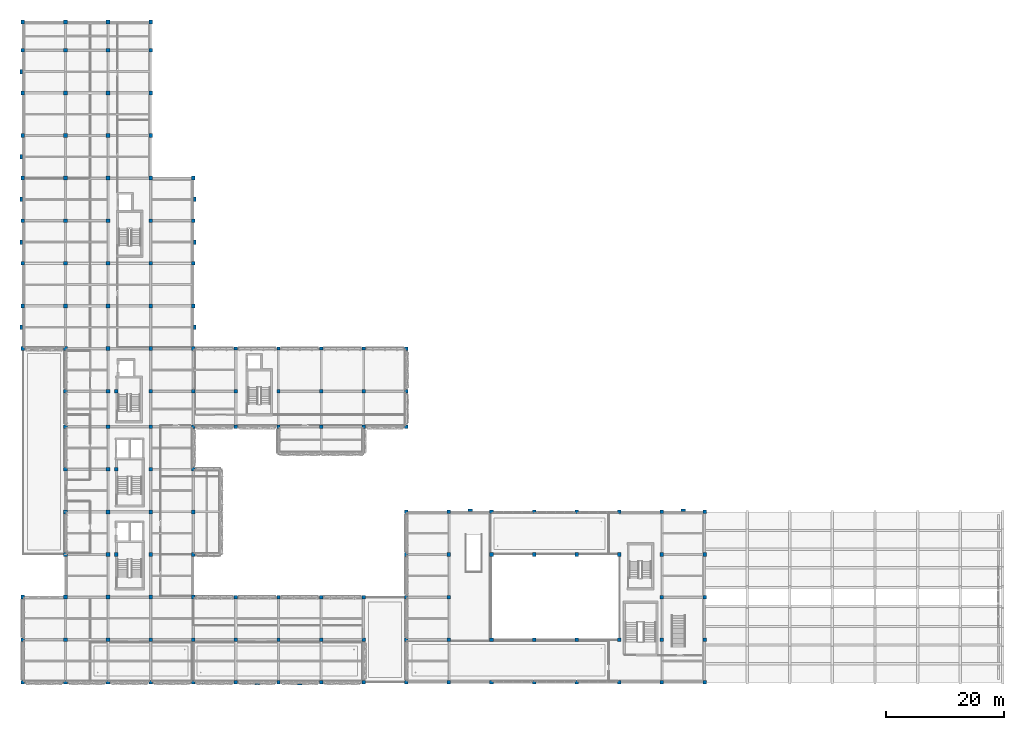
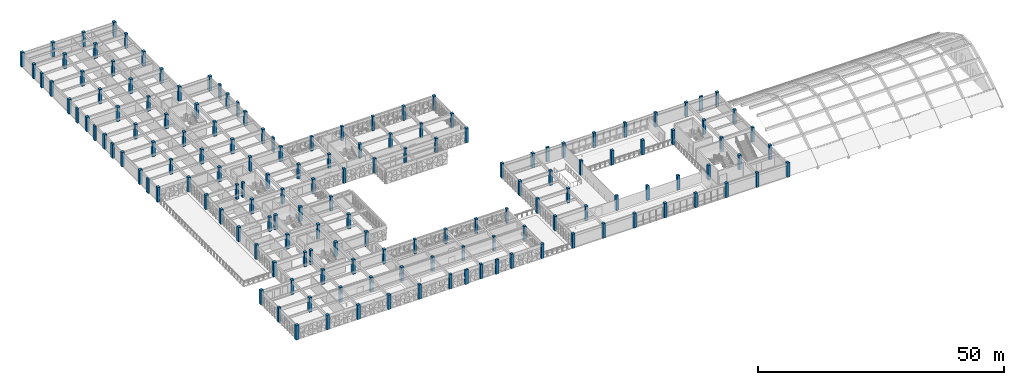
# One storey, part 1 of 85: 154 columns.
"""IFC4 building model written with IfcOpenShell, lengths in metres."""

from ifc_helpers import new_model, si_unit, direction, frame, origin, origin_2d, place, context, subcontext, project, spatial, rectangle, extrude, material, material_profile, profile_set, type_object, element, save


model = new_model("IFC4")

# Units and contexts
model_context = context("Model", 3, precision=1e-05, world=origin(), true_north=direction((0.0, 1.0)))
body_context = subcontext(model_context, "Body", "Model", "MODEL_VIEW")
ifc_project = project(units=[si_unit("LENGTHUNIT", "METRE"), si_unit("AREAUNIT", "SQUARE_METRE"), si_unit("VOLUMEUNIT", "CUBIC_METRE"), si_unit("PLANEANGLEUNIT", "RADIAN"), si_unit("MASSUNIT", "GRAM", prefix="KILO")], contexts=[model_context])

# Site, building, storey
site_placement = place(None, origin())
site = spatial("IfcSite", under=ifc_project, at=site_placement, CompositionType="ELEMENT")
building_placement = place(site_placement, origin())
building = spatial("IfcBuilding", under=site, at=building_placement, Name="Alvorim Cloister Faculty of Sciences", CompositionType="ELEMENT")
storey_placement = place(building_placement, frame((0.0, 0.0, 8.550048828125)))
storey = spatial("IfcBuildingStorey", under=building, at=storey_placement, Name="L02", CompositionType="ELEMENT", Elevation=8.550048828125)

# Columns
ifc_material_1 = material(Name="Glulam GL32h", Category="wood")
ifc_material_profile_1 = material_profile(ifc_material_1, rectangle(XDim=0.56005859375, YDim=0.56005859375, at=origin_2d()), Name="GL32-COL-560x560")
ifc_profile_set_1 = profile_set([ifc_material_profile_1], Name="Glulam GL32h")
column_type_1 = type_object("IfcColumnType", Name="COL-GL-560", PredefinedType="COLUMN", material=ifc_profile_set_1)
for number, where, z_axis, x_axis, name in (
    (1, (36.0, 0.0, 0.0), (0.0, 0.0, 1.0), (1.0, 0.0, 0.0), "L02 Column COL-0635"),
    (2, (36.0, 7.199951171875, 0.0), (0.0, 0.0, 1.0), (1.0, 0.0, 0.0), "L02 Column COL-0636"),
    (3, (36.0, 14.39990234375, 0.0), (0.0, 0.0, 1.0), (1.0, 0.0, 0.0), "L02 Column COL-0637"),
    (4, (36.0, 43.199951171875, 0.0), (0.0, 0.0, 1.0), (1.0, 0.0, 0.0), "L02 Column COL-0638"),
    (5, (36.0, 49.199951171875, 0.0), (0.0, 0.0, 1.0), (1.0, 0.0, 0.0), "L02 Column COL-0639"),
    (6, (36.0, 56.39990234375, 0.0), (0.0, 0.0, 1.0), (1.0, 0.0, 0.0), "L02 Column COL-0640"),
    (7, (43.199951171875, 0.0, 0.0), (0.0, 0.0, 1.0), (1.0, 0.0, 0.0), "L02 Column COL-0641"),
    (8, (43.199951171875, 7.199951171875, 0.0), (0.0, 0.0, 1.0), (1.0, 0.0, 0.0), "L02 Column COL-0642"),
    (9, (43.199951171875, 14.39990234375, 0.0), (0.0, 0.0, 1.0), (1.0, 0.0, 0.0), "L02 Column COL-0643"),
    (10, (43.199951171875, 43.199951171875, 0.0), (0.0, 0.0, 1.0), (1.0, 0.0, 0.0), "L02 Column COL-0644"),
    (11, (43.199951171875, 49.199951171875, 0.0), (0.0, 0.0, 1.0), (1.0, 0.0, 0.0), "L02 Column COL-0645"),
    (12, (43.199951171875, 56.39990234375, 0.0), (0.0, 0.0, 1.0), (1.0, 0.0, 0.0), "L02 Column COL-0646"),
    (13, (50.39990234375, 0.0, 0.0), (0.0, 0.0, 1.0), (1.0, 0.0, 0.0), "L02 Column COL-0647"),
    (14, (50.39990234375, 7.199951171875, 0.0), (0.0, 0.0, 1.0), (1.0, 0.0, 0.0), "L02 Column COL-0648"),
    (15, (50.39990234375, 14.39990234375, 0.0), (0.0, 0.0, 1.0), (1.0, 0.0, 0.0), "L02 Column COL-0649"),
    (16, (50.39990234375, 43.199951171875, 0.0), (0.0, 0.0, 1.0), (1.0, 0.0, 0.0), "L02 Column COL-0650"),
    (17, (50.39990234375, 49.199951171875, 0.0), (0.0, 0.0, 1.0), (1.0, 0.0, 0.0), "L02 Column COL-0651"),
    (18, (50.39990234375, 56.39990234375, 0.0), (0.0, 0.0, 1.0), (1.0, 0.0, 0.0), "L02 Column COL-0652"),
    (19, (57.60009765625, 0.0, 0.0), (0.0, 0.0, 1.0), (1.0, 0.0, 0.0), "L02 Column COL-0653"),
    (20, (57.60009765625, 7.199951171875, 0.0), (0.0, 0.0, 1.0), (1.0, 0.0, 0.0), "L02 Column COL-0654"),
    (21, (57.60009765625, 14.39990234375, 0.0), (0.0, 0.0, 1.0), (1.0, 0.0, 0.0), "L02 Column COL-0655"),
    (22, (57.60009765625, 43.199951171875, 0.0), (0.0, 0.0, 1.0), (1.0, 0.0, 0.0), "L02 Column COL-0656"),
    (23, (57.60009765625, 49.199951171875, 0.0), (0.0, 0.0, 1.0), (1.0, 0.0, 0.0), "L02 Column COL-0657"),
    (24, (57.60009765625, 56.39990234375, 0.0), (0.0, 0.0, 1.0), (1.0, 0.0, 0.0), "L02 Column COL-0658"),
):
    element("IfcColumn", number, at=place(storey_placement, frame(where, z_axis=z_axis, x_axis=x_axis)), inside=storey, type_object=column_type_1, Name=name, PredefinedType="COLUMN", context=body_context, shape_type="SweptSolid", body=[
        extrude(rectangle(XDim=0.56005859375, YDim=0.56005859375, at=origin_2d()), origin(), (0.0, 0.0, 1.0), 3.599853515625),
    ])
ifc_material_profile_2 = material_profile(ifc_material_1, rectangle(XDim=0.60009765625, YDim=0.60009765625, at=origin_2d()), Name="GL32-COL-600x600")
ifc_profile_set_2 = profile_set([ifc_material_profile_2], Name="Glulam GL32h")
column_type_2 = type_object("IfcColumnType", Name="COL-GL-600", PredefinedType="COLUMN", material=ifc_profile_set_2)
for number, where, z_axis, x_axis, name in (
    (25, (64.800048828125, 0.0, 0.0), (0.0, 0.0, 1.0), (1.0, 0.0, 0.0), "L02 Column COL-0659"),
    (26, (64.800048828125, 7.199951171875, 0.0), (0.0, 0.0, 1.0), (1.0, 0.0, 0.0), "L02 Column COL-0660"),
    (27, (64.800048828125, 14.39990234375, 0.0), (0.0, 0.0, 1.0), (1.0, 0.0, 0.0), "L02 Column COL-0661"),
    (28, (64.800048828125, 21.60009765625, 0.0), (0.0, 0.0, 1.0), (1.0, 0.0, 0.0), "L02 Column COL-0662"),
    (29, (64.800048828125, 28.800048828125, 0.0), (0.0, 0.0, 1.0), (1.0, 0.0, 0.0), "L02 Column COL-0663"),
    (30, (64.800048828125, 43.199951171875, 0.0), (0.0, 0.0, 1.0), (1.0, 0.0, 0.0), "L02 Column COL-0664"),
    (31, (64.800048828125, 49.199951171875, 0.0), (0.0, 0.0, 1.0), (1.0, 0.0, 0.0), "L02 Column COL-0665"),
    (32, (64.800048828125, 56.39990234375, 0.0), (0.0, 0.0, 1.0), (1.0, 0.0, 0.0), "L02 Column COL-0666"),
    (33, (72.0, 0.0, 0.0), (0.0, 0.0, 1.0), (1.0, 0.0, 0.0), "L02 Column COL-0667"),
    (34, (72.0, 7.199951171875, 0.0), (0.0, 0.0, 1.0), (1.0, 0.0, 0.0), "L02 Column COL-0668"),
    (35, (72.0, 14.39990234375, 0.0), (0.0, 0.0, 1.0), (1.0, 0.0, 0.0), "L02 Column COL-0669"),
    (36, (72.0, 21.60009765625, 0.0), (0.0, 0.0, 1.0), (1.0, 0.0, 0.0), "L02 Column COL-0670"),
    (37, (72.0, 28.800048828125, 0.0), (0.0, 0.0, 1.0), (1.0, 0.0, 0.0), "L02 Column COL-0671"),
    (38, (79.199951171875, 0.0, 0.0), (0.0, 0.0, 1.0), (1.0, 0.0, 0.0), "L02 Column COL-0672"),
    (39, (79.199951171875, 7.199951171875, 0.0), (0.0, 0.0, 1.0), (1.0, 0.0, 0.0), "L02 Column COL-0673"),
    (40, (79.199951171875, 21.60009765625, 0.0), (0.0, 0.0, 1.0), (1.0, 0.0, 0.0), "L02 Column COL-0674"),
    (41, (79.199951171875, 28.800048828125, 0.0), (0.0, 0.0, 1.0), (1.0, 0.0, 0.0), "L02 Column COL-0675"),
    (42, (86.39990234375, 0.0, 0.0), (0.0, 0.0, 1.0), (1.0, 0.0, 0.0), "L02 Column COL-0676"),
    (43, (86.39990234375, 7.199951171875, 0.0), (0.0, 0.0, 1.0), (1.0, 0.0, 0.0), "L02 Column COL-0677"),
    (44, (86.39990234375, 21.60009765625, 0.0), (0.0, 0.0, 1.0), (1.0, 0.0, 0.0), "L02 Column COL-0678"),
    (45, (86.39990234375, 28.800048828125, 0.0), (0.0, 0.0, 1.0), (1.0, 0.0, 0.0), "L02 Column COL-0679"),
    (46, (93.60009765625, 0.0, 0.0), (0.0, 0.0, 1.0), (1.0, 0.0, 0.0), "L02 Column COL-0680"),
    (47, (93.60009765625, 7.199951171875, 0.0), (0.0, 0.0, 1.0), (1.0, 0.0, 0.0), "L02 Column COL-0681"),
    (48, (93.60009765625, 21.60009765625, 0.0), (0.0, 0.0, 1.0), (1.0, 0.0, 0.0), "L02 Column COL-0682"),
    (49, (93.60009765625, 28.800048828125, 0.0), (0.0, 0.0, 1.0), (1.0, 0.0, 0.0), "L02 Column COL-0683"),
    (50, (100.800048828125, 0.0, 0.0), (0.0, 0.0, 1.0), (1.0, 0.0, 0.0), "L02 Column COL-0684"),
    (51, (100.800048828125, 7.199951171875, 0.0), (0.0, 0.0, 1.0), (1.0, 0.0, 0.0), "L02 Column COL-0685"),
    (52, (100.800048828125, 21.60009765625, 0.0), (0.0, 0.0, 1.0), (1.0, 0.0, 0.0), "L02 Column COL-0686"),
    (53, (100.800048828125, 28.800048828125, 0.0), (0.0, 0.0, 1.0), (1.0, 0.0, 0.0), "L02 Column COL-0687"),
    (54, (108.0, 0.0, 0.0), (0.0, 0.0, 1.0), (1.0, 0.0, 0.0), "L02 Column COL-0688"),
    (55, (108.0, 7.199951171875, 0.0), (0.0, 0.0, 1.0), (1.0, 0.0, 0.0), "L02 Column COL-0689"),
    (56, (108.0, 14.39990234375, 0.0), (0.0, 0.0, 1.0), (1.0, 0.0, 0.0), "L02 Column COL-0690"),
    (57, (108.0, 21.60009765625, 0.0), (0.0, 0.0, 1.0), (1.0, 0.0, 0.0), "L02 Column COL-0691"),
    (58, (108.0, 28.800048828125, 0.0), (0.0, 0.0, 1.0), (1.0, 0.0, 0.0), "L02 Column COL-0692"),
    (59, (115.199951171875, 0.0, 0.0), (0.0, 0.0, 1.0), (1.0, 0.0, 0.0), "L02 Column COL-0693"),
    (60, (115.199951171875, 7.199951171875, 0.0), (0.0, 0.0, 1.0), (1.0, 0.0, 0.0), "L02 Column COL-0694"),
    (61, (115.199951171875, 14.39990234375, 0.0), (0.0, 0.0, 1.0), (1.0, 0.0, 0.0), "L02 Column COL-0695"),
    (62, (115.199951171875, 21.60009765625, 0.0), (0.0, 0.0, 1.0), (1.0, 0.0, 0.0), "L02 Column COL-0696"),
    (63, (115.199951171875, 28.800048828125, 0.0), (0.0, 0.0, 1.0), (1.0, 0.0, 0.0), "L02 Column COL-0697"),
):
    element("IfcColumn", number, at=place(storey_placement, frame(where, z_axis=z_axis, x_axis=x_axis)), inside=storey, type_object=column_type_2, Name=name, PredefinedType="COLUMN", context=body_context, shape_type="SweptSolid", body=[
        extrude(rectangle(XDim=0.60009765625, YDim=0.60009765625, at=origin_2d()), origin(), (0.0, 0.0, 1.0), 3.599853515625),
    ])
ifc_material_profile_3 = material_profile(ifc_material_1, rectangle(XDim=0.639892578125, YDim=0.639892578125, at=origin_2d()), Name="GL32-COL-640x640")
ifc_profile_set_3 = profile_set([ifc_material_profile_3], Name="Glulam GL32h")
column_type_3 = type_object("IfcColumnType", Name="COL-GL-640", PredefinedType="COLUMN", material=ifc_profile_set_3)
for number, where, z_axis, x_axis, name in (
    (64, (0.0, 0.0, 0.0), (0.0, 0.0, 1.0), (1.0, 0.0, 0.0), "L02 Column COL-0556"),
    (65, (0.0, 7.199951171875, 0.0), (0.0, 0.0, 1.0), (1.0, 0.0, 0.0), "L02 Column COL-0557"),
    (66, (0.0, 14.39990234375, 0.0), (0.0, 0.0, 1.0), (1.0, 0.0, 0.0), "L02 Column COL-0558"),
    (67, (0.0, 56.39990234375, 0.0), (0.0, 0.0, 1.0), (1.0, 0.0, 0.0), "L02 Column COL-0559"),
    (68, (0.0, 63.60009765625, 0.0), (0.0, 0.0, 1.0), (1.0, 0.0, 0.0), "L02 Column COL-0560"),
    (69, (0.0, 70.800048828125, 0.0), (0.0, 0.0, 1.0), (1.0, 0.0, 0.0), "L02 Column COL-0561"),
    (70, (0.0, 78.0, 0.0), (0.0, 0.0, 1.0), (1.0, 0.0, 0.0), "L02 Column COL-0562"),
    (71, (0.0, 85.199951171875, 0.0), (0.0, 0.0, 1.0), (1.0, 0.0, 0.0), "L02 Column COL-0563"),
    (72, (0.0, 92.39990234375, 0.0), (0.0, 0.0, 1.0), (1.0, 0.0, 0.0), "L02 Column COL-0564"),
    (73, (0.0, 99.60009765625, 0.0), (0.0, 0.0, 1.0), (1.0, 0.0, 0.0), "L02 Column COL-0565"),
    (74, (0.0, 106.800048828125, 0.0), (0.0, 0.0, 1.0), (1.0, 0.0, 0.0), "L02 Column COL-0566"),
    (75, (0.0, 111.60009765625, 0.0), (0.0, 0.0, 1.0), (1.0, 0.0, 0.0), "L02 Column COL-0567"),
    (76, (7.199951171875, 0.0, 0.0), (0.0, 0.0, 1.0), (1.0, 0.0, 0.0), "L02 Column COL-0568"),
    (77, (7.199951171875, 7.199951171875, 0.0), (0.0, 0.0, 1.0), (1.0, 0.0, 0.0), "L02 Column COL-0569"),
    (78, (7.199951171875, 14.39990234375, 0.0), (0.0, 0.0, 1.0), (1.0, 0.0, 0.0), "L02 Column COL-0570"),
    (79, (7.199951171875, 21.60009765625, 0.0), (0.0, 0.0, 1.0), (1.0, 0.0, 0.0), "L02 Column COL-0571"),
    (80, (7.199951171875, 28.800048828125, 0.0), (0.0, 0.0, 1.0), (1.0, 0.0, 0.0), "L02 Column COL-0572"),
    (81, (7.199951171875, 36.0, 0.0), (0.0, 0.0, 1.0), (1.0, 0.0, 0.0), "L02 Column COL-0573"),
    (82, (7.199951171875, 43.199951171875, 0.0), (0.0, 0.0, 1.0), (1.0, 0.0, 0.0), "L02 Column COL-0574"),
    (83, (7.199951171875, 49.199951171875, 0.0), (0.0, 0.0, 1.0), (1.0, 0.0, 0.0), "L02 Column COL-0575"),
    (84, (7.199951171875, 56.39990234375, 0.0), (0.0, 0.0, 1.0), (1.0, 0.0, 0.0), "L02 Column COL-0576"),
    (85, (7.199951171875, 63.60009765625, 0.0), (0.0, 0.0, 1.0), (1.0, 0.0, 0.0), "L02 Column COL-0577"),
    (86, (7.199951171875, 70.800048828125, 0.0), (0.0, 0.0, 1.0), (1.0, 0.0, 0.0), "L02 Column COL-0578"),
    (87, (7.199951171875, 78.0, 0.0), (0.0, 0.0, 1.0), (1.0, 0.0, 0.0), "L02 Column COL-0579"),
    (88, (7.199951171875, 85.199951171875, 0.0), (0.0, 0.0, 1.0), (1.0, 0.0, 0.0), "L02 Column COL-0580"),
    (89, (7.199951171875, 92.39990234375, 0.0), (0.0, 0.0, 1.0), (1.0, 0.0, 0.0), "L02 Column COL-0581"),
    (90, (7.199951171875, 99.60009765625, 0.0), (0.0, 0.0, 1.0), (1.0, 0.0, 0.0), "L02 Column COL-0582"),
    (91, (7.199951171875, 106.800048828125, 0.0), (0.0, 0.0, 1.0), (1.0, 0.0, 0.0), "L02 Column COL-0583"),
    (92, (7.199951171875, 111.60009765625, 0.0), (0.0, 0.0, 1.0), (1.0, 0.0, 0.0), "L02 Column COL-0584"),
    (93, (14.39990234375, 0.0, 0.0), (0.0, 0.0, 1.0), (1.0, 0.0, 0.0), "L02 Column COL-0585"),
    (94, (14.39990234375, 7.199951171875, 0.0), (0.0, 0.0, 1.0), (1.0, 0.0, 0.0), "L02 Column COL-0586"),
    (95, (14.39990234375, 14.39990234375, 0.0), (0.0, 0.0, 1.0), (1.0, 0.0, 0.0), "L02 Column COL-0587"),
    (96, (14.39990234375, 21.60009765625, 0.0), (0.0, 0.0, 1.0), (1.0, 0.0, 0.0), "L02 Column COL-0588"),
    (97, (14.39990234375, 28.800048828125, 0.0), (0.0, 0.0, 1.0), (1.0, 0.0, 0.0), "L02 Column COL-0589"),
    (98, (14.39990234375, 36.0, 0.0), (0.0, 0.0, 1.0), (1.0, 0.0, 0.0), "L02 Column COL-0590"),
    (99, (14.39990234375, 43.199951171875, 0.0), (0.0, 0.0, 1.0), (1.0, 0.0, 0.0), "L02 Column COL-0591"),
    (100, (14.39990234375, 49.199951171875, 0.0), (0.0, 0.0, 1.0), (1.0, 0.0, 0.0), "L02 Column COL-0592"),
    (101, (14.39990234375, 56.39990234375, 0.0), (0.0, 0.0, 1.0), (1.0, 0.0, 0.0), "L02 Column COL-0593"),
    (102, (14.39990234375, 63.60009765625, 0.0), (0.0, 0.0, 1.0), (1.0, 0.0, 0.0), "L02 Column COL-0594"),
    (103, (14.39990234375, 70.800048828125, 0.0), (0.0, 0.0, 1.0), (1.0, 0.0, 0.0), "L02 Column COL-0595"),
    (104, (14.39990234375, 78.0, 0.0), (0.0, 0.0, 1.0), (1.0, 0.0, 0.0), "L02 Column COL-0596"),
    (105, (14.39990234375, 85.199951171875, 0.0), (0.0, 0.0, 1.0), (1.0, 0.0, 0.0), "L02 Column COL-0597"),
    (106, (14.39990234375, 92.39990234375, 0.0), (0.0, 0.0, 1.0), (1.0, 0.0, 0.0), "L02 Column COL-0598"),
    (107, (14.39990234375, 99.60009765625, 0.0), (0.0, 0.0, 1.0), (1.0, 0.0, 0.0), "L02 Column COL-0599"),
    (108, (14.39990234375, 106.800048828125, 0.0), (0.0, 0.0, 1.0), (1.0, 0.0, 0.0), "L02 Column COL-0600"),
    (109, (14.39990234375, 111.60009765625, 0.0), (0.0, 0.0, 1.0), (1.0, 0.0, 0.0), "L02 Column COL-0601"),
    (110, (15.800048828125, 21.60009765625, 0.0), (0.0, 0.0, 1.0), (1.0, 0.0, 0.0), "L02 Column COL-0602"),
    (111, (15.800048828125, 36.0, 0.0), (0.0, 0.0, 1.0), (1.0, 0.0, 0.0), "L02 Column COL-0603"),
    (112, (15.800048828125, 49.199951171875, 0.0), (0.0, 0.0, 1.0), (1.0, 0.0, 0.0), "L02 Column COL-0604"),
    (113, (21.60009765625, 0.0, 0.0), (0.0, 0.0, 1.0), (1.0, 0.0, 0.0), "L02 Column COL-0605"),
    (114, (21.60009765625, 7.199951171875, 0.0), (0.0, 0.0, 1.0), (1.0, 0.0, 0.0), "L02 Column COL-0606"),
    (115, (21.60009765625, 14.39990234375, 0.0), (0.0, 0.0, 1.0), (1.0, 0.0, 0.0), "L02 Column COL-0607"),
    (116, (21.60009765625, 21.60009765625, 0.0), (0.0, 0.0, 1.0), (1.0, 0.0, 0.0), "L02 Column COL-0608"),
    (117, (21.60009765625, 28.800048828125, 0.0), (0.0, 0.0, 1.0), (1.0, 0.0, 0.0), "L02 Column COL-0609"),
    (118, (21.60009765625, 36.0, 0.0), (0.0, 0.0, 1.0), (1.0, 0.0, 0.0), "L02 Column COL-0610"),
    (119, (21.60009765625, 43.199951171875, 0.0), (0.0, 0.0, 1.0), (1.0, 0.0, 0.0), "L02 Column COL-0611"),
    (120, (21.60009765625, 49.199951171875, 0.0), (0.0, 0.0, 1.0), (1.0, 0.0, 0.0), "L02 Column COL-0612"),
    (121, (21.60009765625, 56.39990234375, 0.0), (0.0, 0.0, 1.0), (1.0, 0.0, 0.0), "L02 Column COL-0613"),
    (122, (21.60009765625, 63.60009765625, 0.0), (0.0, 0.0, 1.0), (1.0, 0.0, 0.0), "L02 Column COL-0614"),
    (123, (21.60009765625, 70.800048828125, 0.0), (0.0, 0.0, 1.0), (1.0, 0.0, 0.0), "L02 Column COL-0615"),
    (124, (21.60009765625, 78.0, 0.0), (0.0, 0.0, 1.0), (1.0, 0.0, 0.0), "L02 Column COL-0616"),
    (125, (21.60009765625, 85.199951171875, 0.0), (0.0, 0.0, 1.0), (1.0, 0.0, 0.0), "L02 Column COL-0617"),
    (126, (21.60009765625, 92.39990234375, 0.0), (0.0, 0.0, 1.0), (1.0, 0.0, 0.0), "L02 Column COL-0618"),
    (127, (21.60009765625, 99.60009765625, 0.0), (0.0, 0.0, 1.0), (1.0, 0.0, 0.0), "L02 Column COL-0619"),
    (128, (21.60009765625, 106.800048828125, 0.0), (0.0, 0.0, 1.0), (1.0, 0.0, 0.0), "L02 Column COL-0620"),
    (129, (21.60009765625, 111.60009765625, 0.0), (0.0, 0.0, 1.0), (1.0, 0.0, 0.0), "L02 Column COL-0621"),
    (130, (28.800048828125, 0.0, 0.0), (0.0, 0.0, 1.0), (1.0, 0.0, 0.0), "L02 Column COL-0622"),
    (131, (28.800048828125, 7.199951171875, 0.0), (0.0, 0.0, 1.0), (1.0, 0.0, 0.0), "L02 Column COL-0623"),
    (132, (28.800048828125, 14.39990234375, 0.0), (0.0, 0.0, 1.0), (1.0, 0.0, 0.0), "L02 Column COL-0624"),
    (133, (28.800048828125, 21.60009765625, 0.0), (0.0, 0.0, 1.0), (1.0, 0.0, 0.0), "L02 Column COL-0625"),
    (134, (28.800048828125, 28.800048828125, 0.0), (0.0, 0.0, 1.0), (1.0, 0.0, 0.0), "L02 Column COL-0626"),
    (135, (28.800048828125, 36.0, 0.0), (0.0, 0.0, 1.0), (1.0, 0.0, 0.0), "L02 Column COL-0627"),
    (136, (28.800048828125, 43.199951171875, 0.0), (0.0, 0.0, 1.0), (1.0, 0.0, 0.0), "L02 Column COL-0628"),
    (137, (28.800048828125, 49.199951171875, 0.0), (0.0, 0.0, 1.0), (1.0, 0.0, 0.0), "L02 Column COL-0629"),
    (138, (28.800048828125, 56.39990234375, 0.0), (0.0, 0.0, 1.0), (1.0, 0.0, 0.0), "L02 Column COL-0630"),
    (139, (28.800048828125, 63.60009765625, 0.0), (0.0, 0.0, 1.0), (1.0, 0.0, 0.0), "L02 Column COL-0631"),
    (140, (28.800048828125, 70.800048828125, 0.0), (0.0, 0.0, 1.0), (1.0, 0.0, 0.0), "L02 Column COL-0632"),
    (141, (28.800048828125, 78.0, 0.0), (0.0, 0.0, 1.0), (1.0, 0.0, 0.0), "L02 Column COL-0633"),
    (142, (28.800048828125, 85.199951171875, 0.0), (0.0, 0.0, 1.0), (1.0, 0.0, 0.0), "L02 Column COL-0634"),
):
    element("IfcColumn", number, at=place(storey_placement, frame(where, z_axis=z_axis, x_axis=x_axis)), inside=storey, type_object=column_type_3, Name=name, PredefinedType="COLUMN", context=body_context, shape_type="SweptSolid", body=[
        extrude(rectangle(XDim=0.639892578125, YDim=0.639892578125, at=origin_2d()), origin(), (0.0, 0.0, 1.0), 3.599853515625),
    ])
ifc_material_2 = material(Name="Precast Concrete C40", Category="concrete")
ifc_material_profile_4 = material_profile(ifc_material_2, rectangle(XDim=0.39990234375, YDim=0.75, at=origin_2d()), Name="RC40-PIL-400x750")
ifc_profile_set_4 = profile_set([ifc_material_profile_4], Name="Precast Concrete C40")
column_type_4 = type_object("IfcColumnType", Name="PIL-PC-400x750", PredefinedType="PILASTER", material=ifc_profile_set_4)
for number, where, z_axis, x_axis, name in (
    (143, (-0.280029296875, 60.0, 0.0), (0.0, 0.0, 1.0), (1.0, 0.0, 0.0), "L02 Gothic Buttress Pier COL-1133"),
    (144, (-0.280029296875, 74.39990234375, 0.0), (0.0, 0.0, 1.0), (1.0, 0.0, 0.0), "L02 Gothic Buttress Pier COL-1139"),
    (145, (-0.280029296875, 81.60009765625, 0.0), (0.0, 0.0, 1.0), (1.0, 0.0, 0.0), "L02 Gothic Buttress Pier COL-1145"),
    (146, (-0.280029296875, 88.800048828125, 0.0), (0.0, 0.0, 1.0), (1.0, 0.0, 0.0), "L02 Gothic Buttress Pier COL-1151"),
    (147, (-0.280029296875, 103.199951171875, 0.0), (0.0, 0.0, 1.0), (1.0, 0.0, 0.0), "L02 Gothic Buttress Pier COL-1157"),
    (148, (29.080078125, 60.0, 0.0), (0.0, 0.0, 1.0), (1.0, 0.0, 0.0), "L02 Gothic Buttress Pier COL-1163"),
    (149, (29.080078125, 74.39990234375, 0.0), (0.0, 0.0, 1.0), (1.0, 0.0, 0.0), "L02 Gothic Buttress Pier COL-1167"),
    (150, (29.080078125, 81.60009765625, 0.0), (0.0, 0.0, 1.0), (1.0, 0.0, 0.0), "L02 Gothic Buttress Pier COL-1171"),
    (151, (39.60009765625, -0.280029296875, 0.0), (0.0, 0.0, 1.0), (0.0, 1.0, 0.0), "L02 Gothic Buttress Pier COL-1175"),
    (152, (46.800048828125, -0.280029296875, 0.0), (0.0, 0.0, 1.0), (0.0, 1.0, 0.0), "L02 Gothic Buttress Pier COL-1180"),
    (153, (75.60009765625, 29.080078125, 0.0), (0.0, 0.0, 1.0), (0.0, 1.0, 0.0), "L02 Gothic Buttress Pier COL-1196"),
    (154, (111.60009765625, 29.080078125, 0.0), (0.0, 0.0, 1.0), (0.0, 1.0, 0.0), "L02 Gothic Buttress Pier COL-1202"),
):
    element("IfcColumn", number, at=place(storey_placement, frame(where, z_axis=z_axis, x_axis=x_axis)), inside=storey, type_object=column_type_4, Name=name, PredefinedType="PILASTER", context=body_context, shape_type="SweptSolid", body=[
        extrude(rectangle(XDim=0.39990234375, YDim=0.75, at=origin_2d()), origin(), (0.0, 0.0, 1.0), 3.599853515625),
    ])

save(model, "model.ifc")
